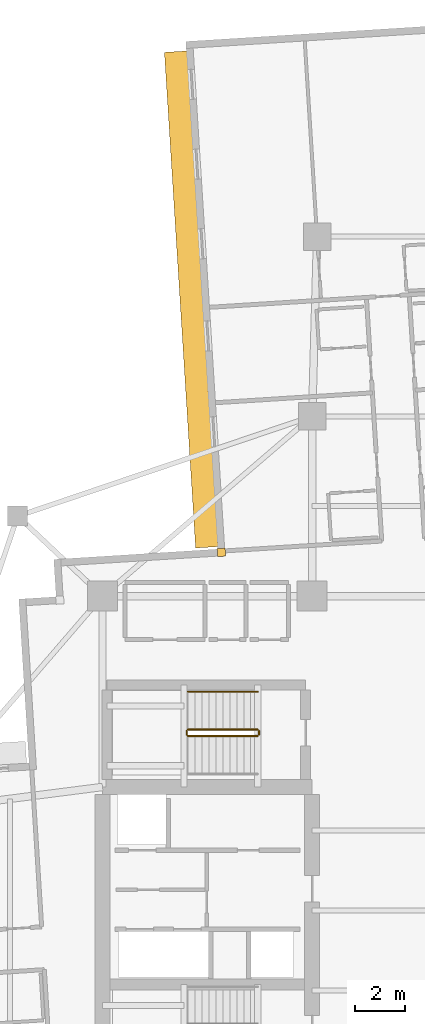
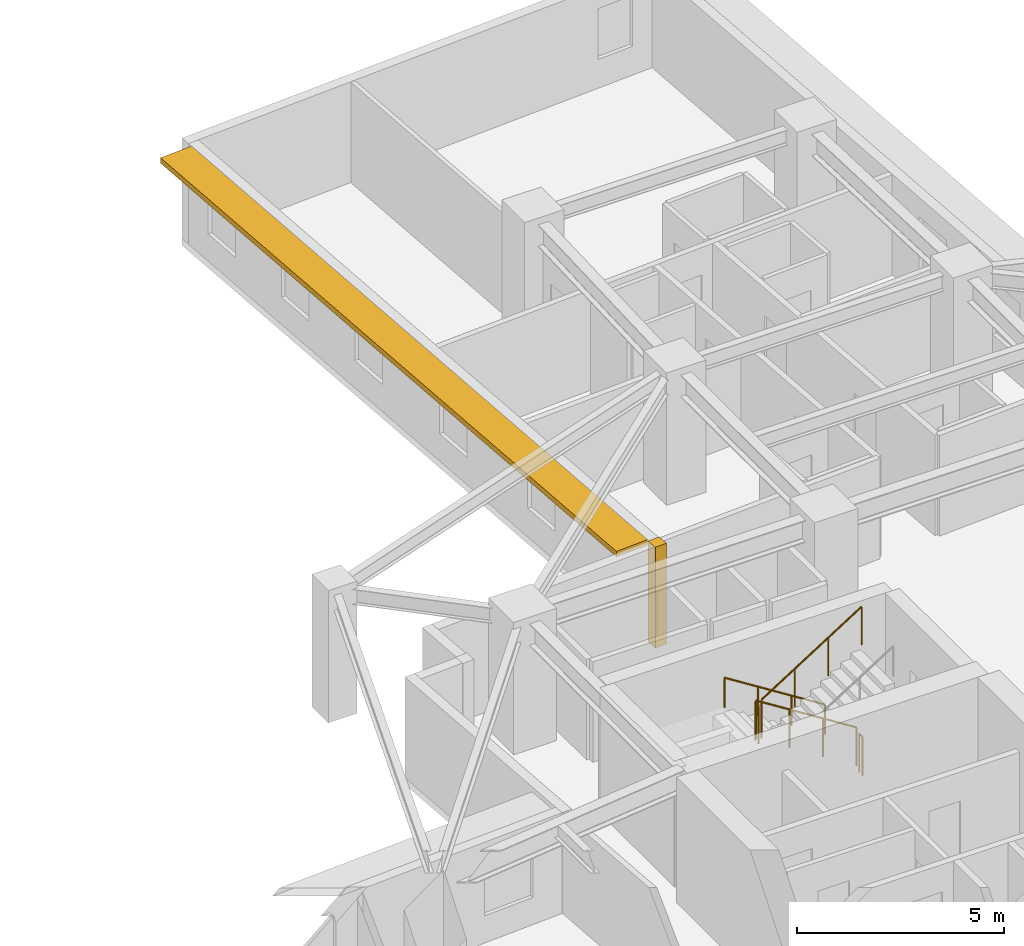
# One storey, part 13 of 14: 5 railings, 1 covering, 1 shading device.
"""IFC4 building model written with IfcOpenShell, lengths in metres."""

import ifcopenshell
import ifcopenshell.guid

model = None  # the IFC model being written
_history = None  # IfcOwnerHistory: only IFC2X3 demands one
_inside = {}  # id of a spatial element -> (the spatial element, [elements in it])
_under = {}  # id of a project, library or spatial element -> (it, [spatial elements below it])
_declared = {}  # id of a project -> (the project, [libraries it declares])
_typed = {}  # id of a type object -> (the type object, [elements of that type])
_made_of = {}  # id of a material, layer set ... -> (it, [elements and type objects made of it])


def new_model(schema):
    """Start an empty IFC model of exactly this schema.

    Asked for "IFC4X3", IfcOpenShell would pick the latest addendum, in which some entities
    have other attributes; the version numbers below select the first issue.
    IFC2X3 requires an IfcOwnerHistory on every rooted entity: one is made here for all.
    """
    global model, _history
    if schema == "IFC4X3":
        model = ifcopenshell.file(schema_version=(4, 3, 0, 0))
    else:
        model = ifcopenshell.file(schema=schema)
    _inside.clear()
    _under.clear()
    _declared.clear()
    _typed.clear()
    _made_of.clear()
    _history = None
    if model.schema == "IFC2X3":
        org = make("IfcOrganization", Name="unknown")
        user = make(
            "IfcPersonAndOrganization",
            ThePerson=make("IfcPerson", FamilyName="unknown"),
            TheOrganization=org,
        )
        app = make(
            "IfcApplication",
            ApplicationDeveloper=org,
            Version="unknown",
            ApplicationFullName="unknown",
            ApplicationIdentifier="unknown",
        )
        _history = make(
            "IfcOwnerHistory",
            OwningUser=user,
            OwningApplication=app,
            ChangeAction="ADDED",
            CreationDate=0,
        )
    return model


def make(cls, **values):
    """One entity of the class cls with the attributes given. An attribute that is None is left unset."""
    return model.create_entity(
        cls, **{name: value for name, value in values.items() if value is not None}
    )


def rooted(cls, **values):
    """An entity with a GlobalId (a new one), such as an element, a storey or a relation."""
    return make(cls, GlobalId=ifcopenshell.guid.new(), OwnerHistory=_history, **values)


def si_unit(unit_type, name, prefix=None):
    """IfcSIUnit, for example si_unit("LENGTHUNIT", "METRE", prefix="MILLI")."""
    return make("IfcSIUnit", UnitType=unit_type, Prefix=prefix, Name=name)


def assignment(units):
    """IfcUnitAssignment: the units of a project."""
    return None if units is None else make("IfcUnitAssignment", Units=units)


def point(xyz):
    """IfcCartesianPoint."""
    return None if xyz is None else make("IfcCartesianPoint", Coordinates=xyz)


def direction(xyz):
    """IfcDirection."""
    return None if xyz is None else make("IfcDirection", DirectionRatios=xyz)


def frame(location, z_axis=None, x_axis=None):
    """IfcAxis2Placement3D, a coordinate frame: its origin and axes. An axis left out is left unset."""
    return make(
        "IfcAxis2Placement3D",
        Location=point(location),
        Axis=direction(z_axis),
        RefDirection=direction(x_axis),
    )


def frame_2d(location, x_axis=None):
    """IfcAxis2Placement2D, a coordinate frame in the plane: its origin and x axis."""
    return make(
        "IfcAxis2Placement2D", Location=point(location), RefDirection=direction(x_axis)
    )


def origin():
    """The frame at (0, 0, 0) with its axes left unset."""
    return frame((0.0, 0.0, 0.0))


def origin_2d():
    """The frame at (0, 0) in the plane with its x axis left unset."""
    return frame_2d((0.0, 0.0))


def place(relative_to, where):
    """IfcLocalPlacement: puts the frame where relative to a parent placement (None: the world)."""
    return make(
        "IfcLocalPlacement", PlacementRelTo=relative_to, RelativePlacement=where
    )


def context(
    kind, dimensions, precision=None, world=None, true_north=None, identifier=None
):
    """IfcGeometricRepresentationContext, for example the 3D "Model" context."""
    return make(
        "IfcGeometricRepresentationContext",
        ContextIdentifier=identifier,
        ContextType=kind,
        CoordinateSpaceDimension=dimensions,
        Precision=precision,
        WorldCoordinateSystem=world,
        TrueNorth=true_north,
    )


def subcontext(parent, identifier, kind, view, scale=None):
    """IfcGeometricRepresentationSubContext, for example "Body" below "Model"."""
    return make(
        "IfcGeometricRepresentationSubContext",
        ContextIdentifier=identifier,
        ContextType=kind,
        ParentContext=parent,
        TargetScale=scale,
        TargetView=view,
    )


def project(units=None, contexts=None):
    """IfcProject with its units and contexts."""
    return rooted(
        "IfcProject",
        Name="project",
        RepresentationContexts=contexts,
        UnitsInContext=assignment(units),
    )


def spatial(cls, under=None, at=None, **own):
    """A site, building, storey or space (cls), placed at a placement, below another one or the project."""
    s = rooted(cls, ObjectPlacement=at, **own)
    if under is not None:
        _under.setdefault(under.id(), (under, []))[1].append(s)
    return s


def profile(cls, at=None, kind="AREA", **sizes):
    """A parametric profile (cls). Its sizes go by their IFC names, for example OverallWidth=200.0."""
    return make(cls, ProfileType=kind, Position=at, **sizes)


def rectangle(**sizes):
    """IfcRectangleProfileDef."""
    return profile("IfcRectangleProfileDef", **sizes)


def circle(**sizes):
    """IfcCircleProfileDef."""
    return profile("IfcCircleProfileDef", **sizes)


def extrude(swept, where, along, depth):
    """IfcExtrudedAreaSolid: the profile swept, set in the frame where, extruded along a direction by depth."""
    return make(
        "IfcExtrudedAreaSolid",
        SweptArea=swept,
        Position=where,
        ExtrudedDirection=direction(along),
        Depth=depth,
    )


def shape(context_of_items, identifier, shape_type, items):
    """IfcShapeRepresentation: the items that make up one representation, for example the "Body"."""
    return make(
        "IfcShapeRepresentation",
        ContextOfItems=context_of_items,
        RepresentationIdentifier=identifier,
        RepresentationType=shape_type,
        Items=items,
    )


def material(Name=None, Category=None):
    """IfcMaterial."""
    return make("IfcMaterial", Name=Name, Category=Category)


def layer(
    of_material, thickness, ventilated=None, Name=None, Category=None, Priority=None
):
    """IfcMaterialLayer: one layer of a wall or slab, of a material (None: an air gap)."""
    return make(
        "IfcMaterialLayer",
        Material=of_material,
        LayerThickness=thickness,
        IsVentilated=ventilated,
        Name=Name,
        Category=Category,
        Priority=Priority,
    )


def layer_set(layers, Name=None):
    """IfcMaterialLayerSet."""
    return make("IfcMaterialLayerSet", MaterialLayers=layers, LayerSetName=Name)


def made_of(thing, what):
    """Note that an element or type object is made of a material, layer set ...; save() writes the relation."""
    if what is not None:
        _made_of.setdefault(what.id(), (what, []))[1].append(thing)
    return thing


def type_object(cls, material=None, **own):
    """A type object (cls), such as IfcWallType, which elements share."""
    return made_of(rooted(cls, **own), material)


def element(
    cls,
    number,
    at=None,
    inside=None,
    cuts=None,
    type_object=None,
    material=None,
    context=None,
    identifier="Body",
    shape_type=None,
    held_by="IfcProductDefinitionShape",
    body=None,
    shapes=None,
    **own,
):
    """One element of the class cls, such as IfcWall. Its Tag is "e" and its number.

    at: its placement. inside: the storey or other place that contains it. cuts: it is an
    opening in that element (IfcRelVoidsElement). A single representation is given by context,
    identifier, shape_type and body (its items); several are given by shapes. held_by: the class
    of the entity that holds the representations. save() writes the other relations.
    """
    e = rooted(cls, Tag="e%d" % number, ObjectPlacement=at, **own)
    if body is not None:
        shapes = [shape(context, identifier, shape_type, body)]
    if shapes is not None:
        e.Representation = make(held_by, Representations=shapes)
    if inside is not None:
        _inside.setdefault(inside.id(), (inside, []))[1].append(e)
    if cuts is not None:
        rooted(
            "IfcRelVoidsElement", RelatingBuildingElement=cuts, RelatedOpeningElement=e
        )
    if type_object is not None:
        _typed.setdefault(type_object.id(), (type_object, []))[1].append(e)
    return made_of(e, material)


def aggregate(whole, parts):
    """IfcRelAggregates: a whole, such as a stair, and the parts it consists of."""
    return rooted("IfcRelAggregates", RelatingObject=whole, RelatedObjects=parts)


def save(model, path):
    """Write the relations noted so far, then the file.

    IfcRelAggregates (storeys below a building ...), IfcRelContainedInSpatialStructure (elements
    in a storey), IfcRelDefinesByType, IfcRelAssociatesMaterial and IfcRelDeclares: one each for
    every whole, place, type object, material and project.
    """
    for whole, parts in _under.values():
        aggregate(whole, parts)
    for where, things in _inside.values():
        rooted(
            "IfcRelContainedInSpatialStructure",
            RelatedElements=things,
            RelatingStructure=where,
        )
    for kind, things in _typed.values():
        rooted("IfcRelDefinesByType", RelatedObjects=things, RelatingType=kind)
    for what, things in _made_of.values():
        rooted("IfcRelAssociatesMaterial", RelatedObjects=things, RelatingMaterial=what)
    for by, libraries in _declared.values():
        rooted("IfcRelDeclares", RelatingContext=by, RelatedDefinitions=libraries)
    model.write(path)


model = new_model("IFC4")

# Units and contexts
model_context = context("Model", 3, precision=1e-05, world=origin(), true_north=direction((0.0, 1.0)))
body_context = subcontext(model_context, "Body", "Model", "MODEL_VIEW")
ifc_project = project(units=[si_unit("LENGTHUNIT", "METRE"), si_unit("AREAUNIT", "SQUARE_METRE"), si_unit("VOLUMEUNIT", "CUBIC_METRE"), si_unit("PLANEANGLEUNIT", "RADIAN"), si_unit("MASSUNIT", "GRAM", prefix="KILO")], contexts=[model_context])

# Site, building, storey
site_placement = place(None, origin())
site = spatial("IfcSite", under=ifc_project, at=site_placement, CompositionType="ELEMENT")
building_placement = place(site_placement, origin())
building = spatial("IfcBuilding", under=site, at=building_placement, Name="Qingluan Cross Belvedere", CompositionType="ELEMENT")
storey_placement = place(building_placement, frame((0.0, 0.0, 128.10009765625)))
storey = spatial("IfcBuildingStorey", under=building, at=storey_placement, Name="L32", CompositionType="ELEMENT", Elevation=128.10009765625)

# Covering
ifc_material_1 = material(Name="Precast concrete C45", Category="concrete")
ifc_layer_1 = layer(ifc_material_1, 0.1201171875, Name="ConcreteSpandrelCladding_120")
ifc_layer_set_1 = layer_set([ifc_layer_1], Name="Precast concrete C45")
covering_type = type_object("IfcCoveringType", Name="ConcreteSpandrelCladding_120", PredefinedType="CLADDING", material=ifc_layer_set_1)
covering_placement = place(storey_placement, frame((-7.635986328125, 14.348876953125, 0.0), z_axis=(0.0, 0.0, 1.0), x_axis=(0.998026728428, 0.062790519529, 0.0)))
element("IfcCovering", 1, at=covering_placement, inside=storey, type_object=covering_type, Name="Corner closure L32-NW2", PredefinedType="CLADDING", context=body_context, shape_type="SweptSolid", body=[
    extrude(rectangle(XDim=0.320068359375, YDim=0.320068359375, at=origin_2d()), origin(), (0.0, 0.0, 1.0), 2.969970703125),
])

# Shading device
ifc_material_2 = material(Name="Precast concrete C45", Category="concrete")
ifc_layer_2 = layer(ifc_material_2, 0.159912109375, Name="ConcreteSunshadeBand_900")
ifc_layer_set_2 = layer_set([ifc_layer_2], Name="Precast concrete C45")
shading_device_type = type_object("IfcShadingDeviceType", Name="ConcreteSunshadeBand_900", PredefinedType="USERDEFINED", material=ifc_layer_set_2)
shading_device_placement = place(storey_placement, frame((-8.8447265625, 24.48291015625, 2.7900390625), z_axis=(0.0, 0.0, 1.0), x_axis=(0.062791158819, -0.998026688207, 0.0)))
element("IfcShadingDevice", 2, at=shading_device_placement, inside=storey, type_object=shading_device_type, Name="Concrete SUNSHADE L32-NB", ObjectType="SUNSHADE", PredefinedType="USERDEFINED", context=body_context, shape_type="SweptSolid", body=[
    extrude(rectangle(XDim=19.89990234375, YDim=0.89990234375, at=origin_2d()), origin(), (0.0, 0.0, 1.0), 0.159912109375),
])

# Railings
ifc_material_3 = material(Name="Brushed stainless steel tubular handrail", Category="steel")
railing_type_1 = type_object("IfcRailingType", Name="StairPitchHandrail_900", PredefinedType="HANDRAIL", material=ifc_material_3)
railing_1_placement = place(storey_placement, frame((-6.179931640625, 8.77001953125, 0.17724609375)))
element("IfcRailing", 3, at=railing_1_placement, inside=storey, type_object=railing_type_1, Name="L32 ST3 stair handrail 1", PredefinedType="HANDRAIL", context=body_context, shape_type="SweptSolid", body=[
    extrude(circle(Radius=0.02392578125, at=origin_2d()), frame((0.0, 0.0, 0.8759765625), z_axis=(-0.844908973607, 0.0, 0.534910110503), x_axis=(0.0, -1.0, 0.0)), (0.0, 0.0, 1.0), 3.31396484375),
    extrude(circle(Radius=0.02099609375, at=origin_2d()), origin(), (0.0, 0.0, 1.0), 0.851806640625),
    extrude(circle(Radius=0.02099609375, at=origin_2d()), frame((-0.933349609375, 0.0, 0.5908203125)), (0.0, 0.0, 1.0), 0.851806640625),
    extrude(circle(Radius=0.02099609375, at=origin_2d()), frame((-1.86669921875, 0.0, 1.181884765625)), (0.0, 0.0, 1.0), 0.851806640625),
    extrude(circle(Radius=0.02099609375, at=origin_2d()), frame((-2.800048828125, 0.0, 1.772705078125)), (0.0, 0.0, 1.0), 0.851806640625),
])
ifc_material_4 = material(Name="Painted steel stair well guard", Category="steel")
railing_type_2 = type_object("IfcRailingType", Name="StairWellGuard_1150", PredefinedType="BALUSTRADE", material=ifc_material_4)
railing_2_placement = place(storey_placement, frame((-6.179931640625, 7.25, 0.17724609375)))
element("IfcRailing", 4, at=railing_2_placement, inside=storey, type_object=railing_type_2, Name="L32 ST3 stair guard 1", PredefinedType="BALUSTRADE", context=body_context, shape_type="SweptSolid", body=[
    extrude(circle(Radius=0.02392578125, at=origin_2d()), frame((0.0, 0.0, 1.1259765625), z_axis=(-0.844908973607, 0.0, 0.534910110503), x_axis=(0.0, -1.0, 0.0)), (0.0, 0.0, 1.0), 3.31396484375),
    extrude(circle(Radius=0.02099609375, at=origin_2d()), origin(), (0.0, 0.0, 1.0), 1.101806640625),
    extrude(circle(Radius=0.02099609375, at=origin_2d()), frame((-0.933349609375, 0.0, 0.5908203125)), (0.0, 0.0, 1.0), 1.101806640625),
    extrude(circle(Radius=0.02099609375, at=origin_2d()), frame((-1.86669921875, 0.0, 1.181884765625)), (0.0, 0.0, 1.0), 1.101806640625),
    extrude(circle(Radius=0.02099609375, at=origin_2d()), frame((-2.800048828125, 0.0, 1.772705078125)), (0.0, 0.0, 1.0), 1.101806640625),
])
railing_3_placement = place(storey_placement, frame((-9.030029296875, 7.199951171875, 1.949951171875)))
element("IfcRailing", 5, at=railing_3_placement, inside=storey, type_object=railing_type_2, Name="L32 ST3 stair guard 2", PredefinedType="BALUSTRADE", context=body_context, shape_type="SweptSolid", body=[
    extrude(circle(Radius=0.02392578125, at=origin_2d()), frame((0.0, 0.0, 1.1259765625), z_axis=(0.0, -1.0, 0.0), x_axis=(1.0, 0.0, 0.0)), (0.0, 0.0, 1.0), 0.159912109375),
    extrude(circle(Radius=0.02099609375, at=origin_2d()), origin(), (0.0, 0.0, 1.0), 1.101806640625),
    extrude(circle(Radius=0.02099609375, at=origin_2d()), frame((0.0, -0.159912109375, 0.0)), (0.0, 0.0, 1.0), 1.101806640625),
])
railing_4_placement = place(storey_placement, frame((-8.97998046875, 6.989990234375, 2.127197265625)))
element("IfcRailing", 6, at=railing_4_placement, inside=storey, type_object=railing_type_2, Name="L32 ST3 stair guard 3", PredefinedType="BALUSTRADE", context=body_context, shape_type="SweptSolid", body=[
    extrude(circle(Radius=0.02392578125, at=origin_2d()), frame((0.0, 0.0, 1.1259765625), z_axis=(0.844908973607, 0.0, 0.534910110503), x_axis=(0.0, 1.0, 0.0)), (0.0, 0.0, 1.0), 3.31396484375),
    extrude(circle(Radius=0.02099609375, at=origin_2d()), origin(), (0.0, 0.0, 1.0), 1.101806640625),
    extrude(circle(Radius=0.02099609375, at=origin_2d()), frame((0.933349609375, 0.0, 0.5908203125)), (0.0, 0.0, 1.0), 1.101806640625),
    extrude(circle(Radius=0.02099609375, at=origin_2d()), frame((1.86669921875, 0.0, 1.181884765625)), (0.0, 0.0, 1.0), 1.101806640625),
    extrude(circle(Radius=0.02099609375, at=origin_2d()), frame((2.800048828125, 0.0, 1.772705078125)), (0.0, 0.0, 1.0), 1.101806640625),
])
railing_5_placement = place(storey_placement, frame((-6.1298828125, 7.199951171875, 0.0)))
element("IfcRailing", 7, at=railing_5_placement, inside=storey, type_object=railing_type_2, Name="L32 ST3 stair guard 4", PredefinedType="BALUSTRADE", context=body_context, shape_type="SweptSolid", body=[
    extrude(circle(Radius=0.02392578125, at=origin_2d()), frame((0.0, 0.0, 1.1259765625), z_axis=(0.0, -1.0, 0.0), x_axis=(1.0, 0.0, 0.0)), (0.0, 0.0, 1.0), 0.159912109375),
    extrude(circle(Radius=0.02099609375, at=origin_2d()), origin(), (0.0, 0.0, 1.0), 1.101806640625),
    extrude(circle(Radius=0.02099609375, at=origin_2d()), frame((0.0, -0.159912109375, 0.0)), (0.0, 0.0, 1.0), 1.101806640625),
])

save(model, "model.ifc")
